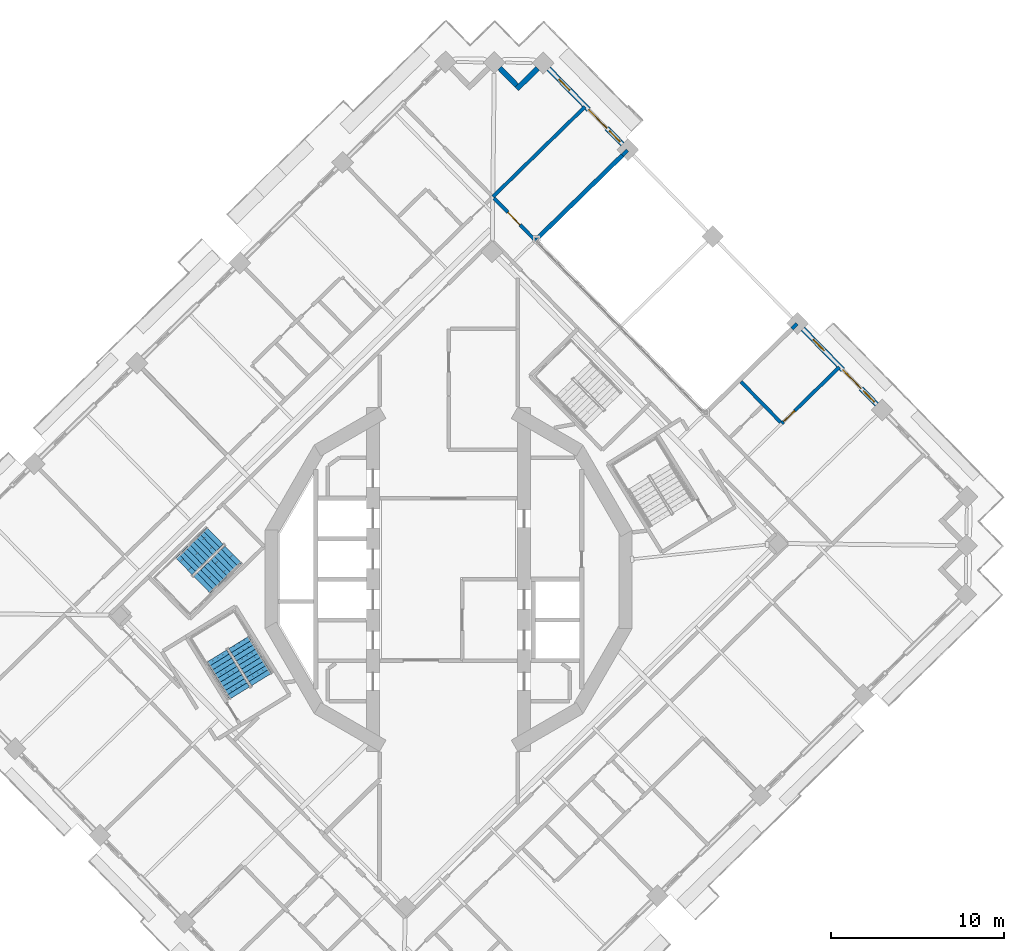
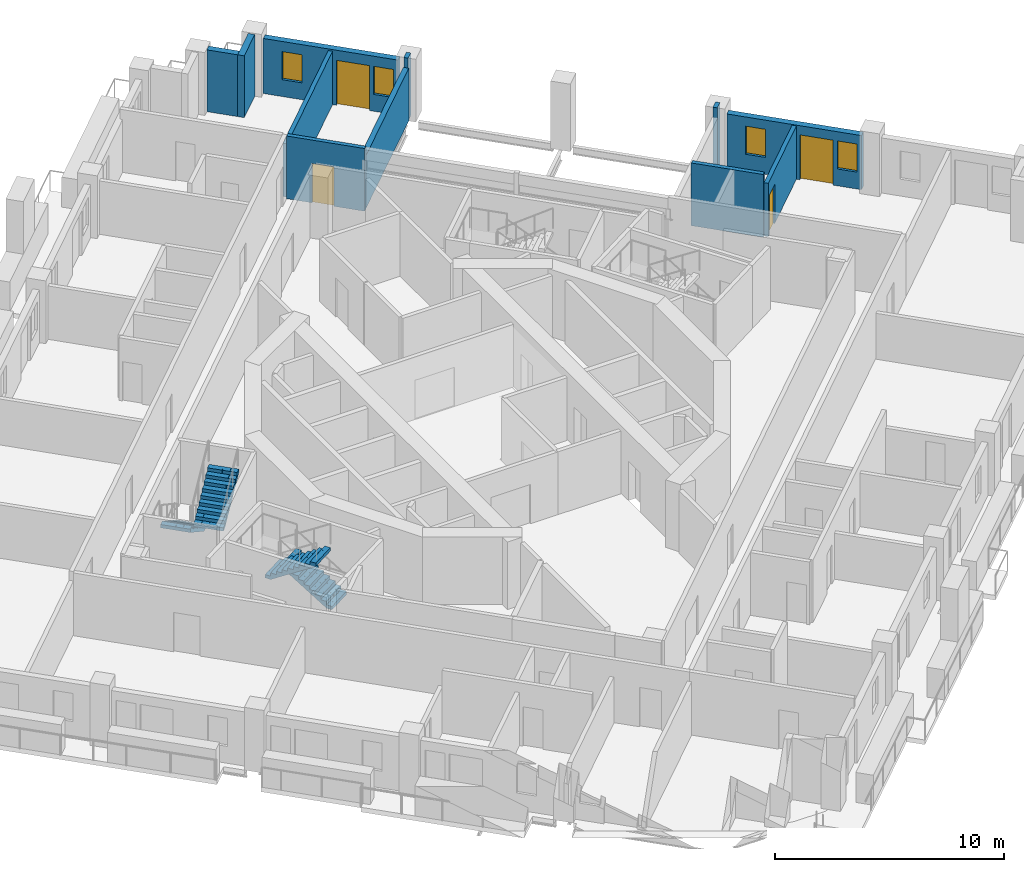
# One storey, part 13 of 20: 11 walls, 4 doors, 4 stair flights, 4 windows, 8 openings, 2 elements without a shape of their own.
"""IFC4 building model written with IfcOpenShell, lengths in metres."""

from ifc_helpers import new_model, si_unit, direction, frame, frame_2d, origin, place, context, subcontext, project, spatial, polyline, rectangle, outline, extrude, material, layer, layer_set, type_object, element, fill, aggregate, save


model = new_model("IFC4")

# Units and contexts
model_context = context("Model", 3, precision=1e-05, world=origin(), true_north=direction((0.0, 1.0)))
body_context = subcontext(model_context, "Body", "Model", "MODEL_VIEW")
ifc_project = project(units=[si_unit("LENGTHUNIT", "METRE"), si_unit("AREAUNIT", "SQUARE_METRE"), si_unit("VOLUMEUNIT", "CUBIC_METRE"), si_unit("PLANEANGLEUNIT", "RADIAN"), si_unit("MASSUNIT", "GRAM", prefix="KILO")], contexts=[model_context])

# Site, building, storey
site_placement = place(None, origin())
site = spatial("IfcSite", under=ifc_project, at=site_placement, CompositionType="ELEMENT")
building_placement = place(site_placement, origin())
building = spatial("IfcBuilding", under=site, at=building_placement, Name="Cantera Rosa Tower", CompositionType="ELEMENT")
storey_placement = place(building_placement, frame((0.0, 0.0, 209.0)))
storey = spatial("IfcBuildingStorey", under=building, at=storey_placement, Name="L44", CompositionType="ELEMENT", Elevation=209.0)

# Wall, opening, door
ifc_material_1 = material(Name="Gypsum board partition")
ifc_layer_1 = layer(ifc_material_1, 0.199951171875)
ifc_layer_set_1 = layer_set([ifc_layer_1], Name="CORRIDOR WALL 200 H3350")
wall_type_1 = type_object("IfcWallType", Name="CORRIDOR WALL 200 H3350", PredefinedType="PARTITIONING", material=ifc_layer_set_1)
wall_1_placement = place(storey_placement, frame((5.10302734375, 19.5322265625, 0.0), z_axis=(0.0, 0.0, 1.0), x_axis=(-0.698794436322, 0.715322539674, 0.0)))
wall_1 = element("IfcWall", 1, at=wall_1_placement, inside=storey, type_object=wall_type_1, Name="CORRIDOR WALL L44-126", PredefinedType="PARTITIONING", context=body_context, shape_type="SweptSolid", body=[
    extrude(rectangle(XDim=3.545166015625, YDim=0.199951171875, at=frame_2d((1.7724609375, 0.0))), origin(), (0.0, 0.0, 1.0), 3.35009765625),
])
opening_1_placement = place(wall_1_placement, frame((1.385009765625, 0.0, 0.0)))
opening_1 = element("IfcOpeningElement", 2, at=opening_1_placement, cuts=wall_1, Name="Opening L44-026", PredefinedType="OPENING", context=body_context, shape_type="SweptSolid", body=[
    extrude(rectangle(XDim=1.0, YDim=2.10009765625, at=frame_2d((0.5, 1.050048828125))), frame((0.0, 0.10986328125, 0.0), z_axis=(0.0, -1.0, 0.0), x_axis=(1.0, 0.0, 0.0)), (0.0, 0.0, 1.0), 0.219970703125),
])
ifc_material_2 = material(Name="Timber door leaf", Category="wood")
door_type_1 = type_object("IfcDoorType", Name="ROOM DOOR 1000x2100", OperationType="NOTDEFINED", PredefinedType="DOOR", material=ifc_material_2)
door_1_placement = place(opening_1_placement, origin())
door_1 = element("IfcDoor", 3, at=door_1_placement, inside=storey, type_object=door_type_1, Name="DOOR L44-026", OperationType="NOTDEFINED", OverallHeight=2.10009765625, OverallWidth=1.0, PredefinedType="DOOR", context=body_context, shape_type="SweptSolid", body=[
    extrude(rectangle(XDim=1.0, YDim=2.10009765625, at=frame_2d((0.5, 1.050048828125))), frame((0.0, 0.02490234375, 0.0), z_axis=(0.0, -1.0, 0.0), x_axis=(1.0, 0.0, 0.0)), (0.0, 0.0, 1.0), 0.050048828125),
])
fill(opening_1, door_1)

# Walls
ifc_material_3 = material(Name="Hollow clay masonry with cantera stone cladding", Category="masonry")
ifc_layer_2 = layer(ifc_material_3, 0.300048828125)
ifc_layer_set_2 = layer_set([ifc_layer_2], Name="EW-LOGGIA 300")
wall_type_2 = type_object("IfcWallType", Name="EW-LOGGIA 300", PredefinedType="SOLIDWALL", material=ifc_layer_set_2)
wall_2_placement = place(storey_placement, frame((5.15283203125, 29.56982421875, 0.0), z_axis=(0.0, 0.0, 1.0), x_axis=(-0.715316077832, -0.69880105094, 0.0)))
element("IfcWall", 4, at=wall_2_placement, inside=storey, type_object=wall_type_2, Name="EN-L44-W05a", PredefinedType="SOLIDWALL", context=body_context, shape_type="SweptSolid", body=[
    extrude(rectangle(XDim=1.699951171875, YDim=0.300048828125, at=frame_2d((0.85009765625, 0.0))), origin(), (0.0, 0.0, 1.0), 3.300048828125),
])
wall_3_placement = place(storey_placement, frame((3.939208984375, 28.593994140625, 0.0), z_axis=(0.0, 0.0, 1.0), x_axis=(-0.698861982187, 0.715256548278, 0.0)))
element("IfcWall", 5, at=wall_3_placement, inside=storey, type_object=wall_type_2, Name="EN-L44-W05b", PredefinedType="SOLIDWALL", context=body_context, shape_type="SweptSolid", body=[
    extrude(rectangle(XDim=1.39990234375, YDim=0.300048828125, at=frame_2d((0.699951171875, 0.0))), origin(), (0.0, 0.0, 1.0), 3.300048828125),
])

# Wall, openings, windows, door
ifc_material_4 = material(Name="Hollow clay masonry with cantera stone cladding", Category="masonry")
ifc_layer_3 = layer(ifc_material_4, 0.300048828125)
ifc_layer_set_3 = layer_set([ifc_layer_3], Name="EW-LOGGIA 300 H2890")
wall_type_3 = type_object("IfcWallType", Name="EW-LOGGIA 300 H2890", PredefinedType="SOLIDWALL", material=ifc_layer_set_3)
wall_4_placement = place(storey_placement, frame((24.783203125, 10.120849609375, 0.0), z_axis=(0.0, 0.0, 1.0), x_axis=(-0.698800768177, 0.715316354067, 0.0)))
wall_4 = element("IfcWall", 6, at=wall_4_placement, inside=storey, type_object=wall_type_3, Name="EN-L44-W01", PredefinedType="SOLIDWALL", context=body_context, shape_type="SweptSolid", body=[
    extrude(rectangle(XDim=6.119873046875, YDim=0.300048828125, at=frame_2d((3.06005859375, 0.0))), origin(), (0.0, 0.0, 1.0), 2.889892578125),
])
opening_2_placement = place(wall_4_placement, frame((0.199951171875, 0.0, 0.89990234375)))
opening_2 = element("IfcOpeningElement", 7, at=opening_2_placement, cuts=wall_4, Name="Opening L44-W01", PredefinedType="OPENING", context=body_context, shape_type="SweptSolid", body=[
    extrude(rectangle(XDim=0.89990234375, YDim=1.5, at=frame_2d((0.449951171875, 0.75))), frame((0.0, 0.159912109375, 0.0), z_axis=(0.0, -1.0, 0.0), x_axis=(1.0, 0.0, 0.0)), (0.0, 0.0, 1.0), 0.320068359375),
])
opening_3_placement = place(wall_4_placement, frame((1.300048828125, 0.0, 0.0)))
opening_3 = element("IfcOpeningElement", 8, at=opening_3_placement, cuts=wall_4, Name="Opening L44-TD02", PredefinedType="OPENING", context=body_context, shape_type="SweptSolid", body=[
    extrude(rectangle(XDim=1.5, YDim=2.39990234375, at=frame_2d((0.75, 1.199951171875))), frame((0.0, 0.159912109375, 0.0), z_axis=(0.0, -1.0, 0.0), x_axis=(1.0, 0.0, 0.0)), (0.0, 0.0, 1.0), 0.320068359375),
])
opening_4_placement = place(wall_4_placement, frame((4.364990234375, 0.0, 0.89990234375)))
opening_4 = element("IfcOpeningElement", 9, at=opening_4_placement, cuts=wall_4, Name="Opening L44-W03", PredefinedType="OPENING", context=body_context, shape_type="SweptSolid", body=[
    extrude(rectangle(XDim=0.89990234375, YDim=1.5, at=frame_2d((0.449951171875, 0.75))), frame((0.0, 0.159912109375, 0.0), z_axis=(0.0, -1.0, 0.0), x_axis=(1.0, 0.0, 0.0)), (0.0, 0.0, 1.0), 0.320068359375),
])
ifc_material_5 = material(Name="Aluminium frame with clear glass", Category="aluminium")
window_type = type_object("IfcWindowType", Name="Residential window 900x1500", PartitioningType="SINGLE_PANEL", PredefinedType="WINDOW", material=ifc_material_5)
window_1_placement = place(opening_2_placement, origin())
window_1 = element("IfcWindow", 10, at=window_1_placement, inside=storey, type_object=window_type, Name="WINDOW L44-W01", OverallHeight=1.5, OverallWidth=0.89990234375, PartitioningType="SINGLE_PANEL", PredefinedType="WINDOW", context=body_context, shape_type="SweptSolid", body=[
    extrude(rectangle(XDim=0.89990234375, YDim=1.5, at=frame_2d((0.449951171875, 0.75))), frame((0.0, 0.030029296875, 0.0), z_axis=(0.0, -1.0, 0.0), x_axis=(1.0, 0.0, 0.0)), (0.0, 0.0, 1.0), 0.06005859375),
])
fill(opening_2, window_1)
window_2_placement = place(opening_4_placement, origin())
window_2 = element("IfcWindow", 11, at=window_2_placement, inside=storey, type_object=window_type, Name="WINDOW L44-W03", OverallHeight=1.5, OverallWidth=0.89990234375, PartitioningType="SINGLE_PANEL", PredefinedType="WINDOW", context=body_context, shape_type="SweptSolid", body=[
    extrude(rectangle(XDim=0.89990234375, YDim=1.5, at=frame_2d((0.449951171875, 0.75))), frame((0.0, 0.030029296875, 0.0), z_axis=(0.0, -1.0, 0.0), x_axis=(1.0, 0.0, 0.0)), (0.0, 0.0, 1.0), 0.06005859375),
])
fill(opening_4, window_2)
ifc_material_6 = material(Name="Aluminium frame with clear glass", Category="aluminium")
door_type_2 = type_object("IfcDoorType", Name="TD-R 1500x2400", OperationType="NOTDEFINED", PredefinedType="DOOR", material=ifc_material_6)
door_2_placement = place(opening_3_placement, origin())
door_2 = element("IfcDoor", 12, at=door_2_placement, inside=storey, type_object=door_type_2, Name="LOGGIA DOOR L44-TD02", OperationType="SLIDING_TO_LEFT", OverallHeight=2.39990234375, OverallWidth=1.5, PredefinedType="DOOR", context=body_context, shape_type="SweptSolid", body=[
    extrude(rectangle(XDim=1.5, YDim=2.39990234375, at=frame_2d((0.75, 1.199951171875))), frame((0.0, 0.02490234375, 0.0), z_axis=(0.0, -1.0, 0.0), x_axis=(1.0, 0.0, 0.0)), (0.0, 0.0, 1.0), 0.050048828125),
])
fill(opening_3, door_2)

ifc_material_7 = material(Name="Hollow clay masonry with cantera stone cladding", Category="masonry")
ifc_layer_4 = layer(ifc_material_7, 0.300048828125)
ifc_layer_set_4 = layer_set([ifc_layer_4], Name="EW-LOGGIA 300 H2940")
wall_type_4 = type_object("IfcWallType", Name="EW-LOGGIA 300 H2940", PredefinedType="SOLIDWALL", material=ifc_layer_set_4)
wall_5_placement = place(storey_placement, frame((10.06591796875, 25.184814453125, 0.0), z_axis=(0.0, 0.0, 1.0), x_axis=(-0.69882117953, 0.715296413412, 0.0)))
wall_5 = element("IfcWall", 13, at=wall_5_placement, inside=storey, type_object=wall_type_4, Name="EN-L44-W04", PredefinedType="SOLIDWALL", context=body_context, shape_type="SweptSolid", body=[
    extrude(rectangle(XDim=6.1201171875, YDim=0.300048828125, at=frame_2d((3.06005859375, 0.0))), origin(), (0.0, 0.0, 1.0), 2.93994140625),
])
opening_5_placement = place(wall_5_placement, frame((0.199951171875, 0.0, 0.89990234375)))
opening_5 = element("IfcOpeningElement", 14, at=opening_5_placement, cuts=wall_5, Name="Opening L44-W04", PredefinedType="OPENING", context=body_context, shape_type="SweptSolid", body=[
    extrude(rectangle(XDim=0.89990234375, YDim=1.5, at=frame_2d((0.449951171875, 0.75))), frame((0.0, 0.159912109375, 0.0), z_axis=(0.0, -1.0, 0.0), x_axis=(1.0, 0.0, 0.0)), (0.0, 0.0, 1.0), 0.320068359375),
])
opening_6_placement = place(wall_5_placement, frame((1.300048828125, 0.0, 0.0)))
opening_6 = element("IfcOpeningElement", 15, at=opening_6_placement, cuts=wall_5, Name="Opening L44-TD05", PredefinedType="OPENING", context=body_context, shape_type="SweptSolid", body=[
    extrude(rectangle(XDim=1.5, YDim=2.39990234375, at=frame_2d((0.75, 1.199951171875))), frame((0.0, 0.159912109375, 0.0), z_axis=(0.0, -1.0, 0.0), x_axis=(1.0, 0.0, 0.0)), (0.0, 0.0, 1.0), 0.320068359375),
])
opening_7_placement = place(wall_5_placement, frame((4.364990234375, 0.0, 0.89990234375)))
opening_7 = element("IfcOpeningElement", 16, at=opening_7_placement, cuts=wall_5, Name="Opening L44-W06", PredefinedType="OPENING", context=body_context, shape_type="SweptSolid", body=[
    extrude(rectangle(XDim=0.89990234375, YDim=1.5, at=frame_2d((0.449951171875, 0.75))), frame((0.0, 0.159912109375, 0.0), z_axis=(0.0, -1.0, 0.0), x_axis=(1.0, 0.0, 0.0)), (0.0, 0.0, 1.0), 0.320068359375),
])
window_3_placement = place(opening_5_placement, origin())
window_3 = element("IfcWindow", 17, at=window_3_placement, inside=storey, type_object=window_type, Name="WINDOW L44-W04", OverallHeight=1.5, OverallWidth=0.89990234375, PartitioningType="SINGLE_PANEL", PredefinedType="WINDOW", context=body_context, shape_type="SweptSolid", body=[
    extrude(rectangle(XDim=0.89990234375, YDim=1.5, at=frame_2d((0.449951171875, 0.75))), frame((0.0, 0.030029296875, 0.0), z_axis=(0.0, -1.0, 0.0), x_axis=(1.0, 0.0, 0.0)), (0.0, 0.0, 1.0), 0.06005859375),
])
fill(opening_5, window_3)
window_4_placement = place(opening_7_placement, origin())
window_4 = element("IfcWindow", 18, at=window_4_placement, inside=storey, type_object=window_type, Name="WINDOW L44-W06", OverallHeight=1.5, OverallWidth=0.89990234375, PartitioningType="SINGLE_PANEL", PredefinedType="WINDOW", context=body_context, shape_type="SweptSolid", body=[
    extrude(rectangle(XDim=0.89990234375, YDim=1.5, at=frame_2d((0.449951171875, 0.75))), frame((0.0, 0.030029296875, 0.0), z_axis=(0.0, -1.0, 0.0), x_axis=(1.0, 0.0, 0.0)), (0.0, 0.0, 1.0), 0.06005859375),
])
fill(opening_7, window_4)
door_3_placement = place(opening_6_placement, origin())
door_3 = element("IfcDoor", 19, at=door_3_placement, inside=storey, type_object=door_type_2, Name="LOGGIA DOOR L44-TD05", OperationType="SLIDING_TO_LEFT", OverallHeight=2.39990234375, OverallWidth=1.5, PredefinedType="DOOR", context=body_context, shape_type="SweptSolid", body=[
    extrude(rectangle(XDim=1.5, YDim=2.39990234375, at=frame_2d((0.75, 1.199951171875))), frame((0.0, 0.02490234375, 0.0), z_axis=(0.0, -1.0, 0.0), x_axis=(1.0, 0.0, 0.0)), (0.0, 0.0, 1.0), 0.050048828125),
])
fill(opening_6, door_3)

# Wall
ifc_material_8 = material(Name="Concrete C40/50", Category="concrete")
ifc_layer_5 = layer(ifc_material_8, 0.25)
ifc_layer_set_5 = layer_set([ifc_layer_5], Name="EW-POCKET CHEEK 250 H2820")
wall_type_5 = type_object("IfcWallType", Name="EW-POCKET CHEEK 250 H2820", PredefinedType="SOLIDWALL", material=ifc_layer_set_5)
wall_6_placement = place(storey_placement, frame((10.05859375, 24.548583984375, 0.0), z_axis=(0.0, 0.0, 1.0), x_axis=(-0.715278984135, -0.69883901927, 0.0)))
element("IfcWall", 20, at=wall_6_placement, inside=storey, type_object=wall_type_5, Name="POCKET CHEEK B L44", PredefinedType="SOLIDWALL", context=body_context, shape_type="SweptSolid", body=[
    extrude(rectangle(XDim=6.949951171875, YDim=0.25, at=frame_2d((3.47509765625, 0.0))), origin(), (0.0, 0.0, 1.0), 2.820068359375),
])

# Wall, opening, door
ifc_material_9 = material(Name="Gypsum board partition")
ifc_layer_6 = layer(ifc_material_9, 0.199951171875)
ifc_layer_set_6 = layer_set([ifc_layer_6], Name="PARTITION 200 H2850")
wall_type_6 = type_object("IfcWallType", Name="PARTITION 200 H2850", PredefinedType="PARTITIONING", material=ifc_layer_set_6)
wall_7_placement = place(storey_placement, frame((22.623291015625, 12.288818359375, 0.0), z_axis=(0.0, 0.0, 1.0), x_axis=(-0.715241248144, -0.698877640903, 0.0)))
wall_7 = element("IfcWall", 21, at=wall_7_placement, inside=storey, type_object=wall_type_6, Name="PARTITION L44-127", PredefinedType="PARTITIONING", context=body_context, shape_type="SweptSolid", body=[
    extrude(rectangle(XDim=4.669921875, YDim=0.199951171875, at=frame_2d((2.3349609375, 0.0))), origin(), (0.0, 0.0, 1.0), 2.85009765625),
])
opening_8_placement = place(wall_7_placement, frame((3.6201171875, 0.0, 0.0)))
opening_8 = element("IfcOpeningElement", 22, at=opening_8_placement, cuts=wall_7, Name="Opening L44-025", PredefinedType="OPENING", context=body_context, shape_type="SweptSolid", body=[
    extrude(rectangle(XDim=0.89990234375, YDim=2.10009765625, at=frame_2d((0.449951171875, 1.050048828125))), frame((0.0, 0.10986328125, 0.0), z_axis=(0.0, -1.0, 0.0), x_axis=(1.0, 0.0, 0.0)), (0.0, 0.0, 1.0), 0.219970703125),
])
ifc_material_10 = material(Name="Timber door leaf", Category="wood")
door_type_3 = type_object("IfcDoorType", Name="ROOM DOOR 900x2100", OperationType="NOTDEFINED", PredefinedType="DOOR", material=ifc_material_10)
door_4_placement = place(opening_8_placement, origin())
door_4 = element("IfcDoor", 23, at=door_4_placement, inside=storey, type_object=door_type_3, Name="DOOR L44-025", OperationType="NOTDEFINED", OverallHeight=2.10009765625, OverallWidth=0.89990234375, PredefinedType="DOOR", context=body_context, shape_type="SweptSolid", body=[
    extrude(rectangle(XDim=0.89990234375, YDim=2.10009765625, at=frame_2d((0.449951171875, 1.050048828125))), frame((0.0, 0.02490234375, 0.0), z_axis=(0.0, -1.0, 0.0), x_axis=(1.0, 0.0, 0.0)), (0.0, 0.0, 1.0), 0.050048828125),
])
fill(opening_8, door_4)

# Walls
ifc_material_11 = material(Name="Gypsum board partition")
ifc_layer_7 = layer(ifc_material_11, 0.199951171875)
ifc_layer_set_7 = layer_set([ifc_layer_7], Name="PARTITION 200 H3350")
wall_type_7 = type_object("IfcWallType", Name="PARTITION 200 H3350", PredefinedType="PARTITIONING", material=ifc_layer_set_7)
for number, where, z_axis, x_axis, name in (
    (24, (10.35888671875, 24.842041015625, 0.0), (0.0, 0.0, 1.0), (-0.715200413867, -0.698919428836, 0.0), "PARTITION L44-103"),
    (25, (19.8701171875, 14.505859375, 0.0), (0.0, 0.0, 1.0), (0.715200413867, 0.698919428836, 0.0), "PARTITION L44-114"),
):
    element("IfcWall", number, at=place(storey_placement, frame(where, z_axis=z_axis, x_axis=x_axis)), inside=storey, type_object=wall_type_7, Name=name, PredefinedType="PARTITIONING", context=body_context, shape_type="SweptSolid", body=[
        extrude(rectangle(XDim=0.419921875, YDim=0.199951171875, at=frame_2d((0.2099609375, 0.0))), origin(), (0.0, 0.0, 1.0), 3.35009765625),
    ])
wall_8_placement = place(storey_placement, frame((16.924560546875, 11.439208984375, 0.0), z_axis=(0.0, 0.0, 1.0), x_axis=(0.698821145495, -0.715296446663, 0.0)))
element("IfcWall", 26, at=wall_8_placement, inside=storey, type_object=wall_type_7, Name="PARTITION L44-118", PredefinedType="PARTITIONING", context=body_context, shape_type="SweptSolid", body=[
    extrude(rectangle(XDim=3.27490234375, YDim=0.199951171875, at=frame_2d((1.637451171875, 0.0))), origin(), (0.0, 0.0, 1.0), 3.35009765625),
])
ifc_material_12 = material(Name="Gypsum board partition")
ifc_layer_8 = layer(ifc_material_12, 0.199951171875)
ifc_layer_set_8 = layer_set([ifc_layer_8], Name="PARTY WALL 200 H2850")
wall_type_8 = type_object("IfcWallType", Name="PARTY WALL 200 H2850", PredefinedType="PARTITIONING", material=ifc_layer_set_8)
wall_9_placement = place(storey_placement, frame((2.5703125, 22.153564453125, 0.0), z_axis=(0.0, 0.0, 1.0), x_axis=(0.715284364496, 0.698833512296, 0.0)))
element("IfcWall", 27, at=wall_9_placement, inside=storey, type_object=wall_type_8, Name="PARTY WALL L44-075", PredefinedType="PARTITIONING", context=body_context, shape_type="SweptSolid", body=[
    extrude(rectangle(XDim=7.449951171875, YDim=0.199951171875, at=frame_2d((3.72509765625, 0.0))), origin(), (0.0, 0.0, 1.0), 2.85009765625),
])

# Stair, stair flights
ifc_material_13 = material(Name="Concrete C35/45", Category="concrete")
stair_type = type_object("IfcStairType", Name="EXIT STAIR 1350 DOGLEG", PredefinedType="HALF_TURN_STAIR", material=ifc_material_13)
stair_1_placement = place(storey_placement, origin())
stair_1 = element("IfcStair", 28, at=stair_1_placement, inside=storey, type_object=stair_type, Name="L44 ST-43", PredefinedType="HALF_TURN_STAIR")
ifc_material_14 = material(Name="Concrete C35/45", Category="concrete")
stair_flight_type = type_object("IfcStairFlightType", Name="STAIR FLIGHT 1350 R20x180", PredefinedType="STRAIGHT", material=ifc_material_14)
stair_flight_1_placement = place(storey_placement, frame((-13.522705078125, 2.514892578125, 0.0), z_axis=(0.0, 0.0, 1.0), x_axis=(-0.715286295132, -0.698831536207, 0.0)))
stair_flight_1 = element("IfcStairFlight", 29, at=stair_flight_1_placement, type_object=stair_flight_type, Name="ST-43 flight 1", NumberOfRisers=10, NumberOfTreads=9, PredefinedType="STRAIGHT", RiserHeight=0.18, TreadLength=0.28, context=body_context, shape_type="SweptSolid", body=[
    extrude(outline(polyline([(0.0, 0.0), (0.0, 0.179931640625), (0.280029296875, 0.179931640625), (0.280029296875, 0.360107421875), (0.56005859375, 0.360107421875), (0.56005859375, 0.5400390625), (0.840087890625, 0.5400390625), (0.840087890625, 0.719970703125), (1.1201171875, 0.719970703125), (1.1201171875, 0.89990234375), (1.39990234375, 0.89990234375), (1.39990234375, 1.080078125), (1.679931640625, 1.080078125), (1.679931640625, 1.260009765625), (1.9599609375, 1.260009765625), (1.9599609375, 1.43994140625), (2.239990234375, 1.43994140625), (2.239990234375, 1.6201171875), (2.52001953125, 1.6201171875), (2.52001953125, 1.800048828125), (2.52001953125, 1.44189453125), (0.277099609375, 0.0), (0.0, 0.0)])), frame((0.0, 0.675048828125, 0.0), z_axis=(0.0, -1.0, 0.0), x_axis=(1.0, 0.0, 0.0)), (0.0, 0.0, 1.0), 0.3359375),
    extrude(outline(polyline([(0.0, 0.0), (0.0, 0.179931640625), (0.280029296875, 0.179931640625), (0.280029296875, 0.360107421875), (0.56005859375, 0.360107421875), (0.56005859375, 0.5400390625), (0.840087890625, 0.5400390625), (0.840087890625, 0.719970703125), (1.1201171875, 0.719970703125), (1.1201171875, 0.89990234375), (1.39990234375, 0.89990234375), (1.39990234375, 1.080078125), (1.679931640625, 1.080078125), (1.679931640625, 1.260009765625), (1.9599609375, 1.260009765625), (1.9599609375, 1.43994140625), (2.239990234375, 1.43994140625), (2.239990234375, 1.6201171875), (2.52001953125, 1.6201171875), (2.52001953125, 1.800048828125), (2.52001953125, 1.44189453125), (0.277099609375, 0.0), (0.0, 0.0)])), frame((0.0, 0.337158203125, 0.0), z_axis=(0.0, -1.0, 0.0), x_axis=(1.0, 0.0, 0.0)), (0.0, 0.0, 1.0), 0.3359375),
    extrude(outline(polyline([(0.0, 0.0), (0.0, 0.179931640625), (0.280029296875, 0.179931640625), (0.280029296875, 0.360107421875), (0.56005859375, 0.360107421875), (0.56005859375, 0.5400390625), (0.840087890625, 0.5400390625), (0.840087890625, 0.719970703125), (1.1201171875, 0.719970703125), (1.1201171875, 0.89990234375), (1.39990234375, 0.89990234375), (1.39990234375, 1.080078125), (1.679931640625, 1.080078125), (1.679931640625, 1.260009765625), (1.9599609375, 1.260009765625), (1.9599609375, 1.43994140625), (2.239990234375, 1.43994140625), (2.239990234375, 1.6201171875), (2.52001953125, 1.6201171875), (2.52001953125, 1.800048828125), (2.52001953125, 1.44189453125), (0.277099609375, 0.0), (0.0, 0.0)])), frame((0.0, -0.000732421875, 0.0), z_axis=(0.0, -1.0, 0.0), x_axis=(1.0, 0.0, 0.0)), (0.0, 0.0, 1.0), 0.3359375),
    extrude(outline(polyline([(0.0, 0.0), (0.0, 0.179931640625), (0.280029296875, 0.179931640625), (0.280029296875, 0.360107421875), (0.56005859375, 0.360107421875), (0.56005859375, 0.5400390625), (0.840087890625, 0.5400390625), (0.840087890625, 0.719970703125), (1.1201171875, 0.719970703125), (1.1201171875, 0.89990234375), (1.39990234375, 0.89990234375), (1.39990234375, 1.080078125), (1.679931640625, 1.080078125), (1.679931640625, 1.260009765625), (1.9599609375, 1.260009765625), (1.9599609375, 1.43994140625), (2.239990234375, 1.43994140625), (2.239990234375, 1.6201171875), (2.52001953125, 1.6201171875), (2.52001953125, 1.800048828125), (2.52001953125, 1.44189453125), (0.277099609375, 0.0), (0.0, 0.0)])), frame((0.0, -0.338623046875, 0.0), z_axis=(0.0, -1.0, 0.0), x_axis=(1.0, 0.0, 0.0)), (0.0, 0.0, 1.0), 0.3359375),
])
stair_flight_2_placement = place(storey_placement, frame((-14.277099609375, -0.319091796875, 1.800048828125), z_axis=(0.0, 0.0, 1.0), x_axis=(0.715286295132, 0.698831536207, 0.0)))
stair_flight_2 = element("IfcStairFlight", 30, at=stair_flight_2_placement, type_object=stair_flight_type, Name="ST-43 flight 2", NumberOfRisers=10, NumberOfTreads=9, PredefinedType="STRAIGHT", RiserHeight=0.18, TreadLength=0.28, context=body_context, shape_type="SweptSolid", body=[
    extrude(outline(polyline([(0.0, 0.0), (0.0, 0.179931640625), (0.280029296875, 0.179931640625), (0.280029296875, 0.360107421875), (0.56005859375, 0.360107421875), (0.56005859375, 0.5400390625), (0.840087890625, 0.5400390625), (0.840087890625, 0.719970703125), (1.1201171875, 0.719970703125), (1.1201171875, 0.89990234375), (1.39990234375, 0.89990234375), (1.39990234375, 1.080078125), (1.679931640625, 1.080078125), (1.679931640625, 1.260009765625), (1.9599609375, 1.260009765625), (1.9599609375, 1.43994140625), (2.239990234375, 1.43994140625), (2.239990234375, 1.6201171875), (2.52001953125, 1.6201171875), (2.52001953125, 1.800048828125), (2.52001953125, 1.44189453125), (0.277099609375, 0.0), (0.0, 0.0)])), frame((0.0, 0.675048828125, 0.0), z_axis=(0.0, -1.0, 0.0), x_axis=(1.0, 0.0, 0.0)), (0.0, 0.0, 1.0), 0.3359375),
    extrude(outline(polyline([(0.0, 0.0), (0.0, 0.179931640625), (0.280029296875, 0.179931640625), (0.280029296875, 0.360107421875), (0.56005859375, 0.360107421875), (0.56005859375, 0.5400390625), (0.840087890625, 0.5400390625), (0.840087890625, 0.719970703125), (1.1201171875, 0.719970703125), (1.1201171875, 0.89990234375), (1.39990234375, 0.89990234375), (1.39990234375, 1.080078125), (1.679931640625, 1.080078125), (1.679931640625, 1.260009765625), (1.9599609375, 1.260009765625), (1.9599609375, 1.43994140625), (2.239990234375, 1.43994140625), (2.239990234375, 1.6201171875), (2.52001953125, 1.6201171875), (2.52001953125, 1.800048828125), (2.52001953125, 1.44189453125), (0.277099609375, 0.0), (0.0, 0.0)])), frame((0.0, 0.337158203125, 0.0), z_axis=(0.0, -1.0, 0.0), x_axis=(1.0, 0.0, 0.0)), (0.0, 0.0, 1.0), 0.3359375),
    extrude(outline(polyline([(0.0, 0.0), (0.0, 0.179931640625), (0.280029296875, 0.179931640625), (0.280029296875, 0.360107421875), (0.56005859375, 0.360107421875), (0.56005859375, 0.5400390625), (0.840087890625, 0.5400390625), (0.840087890625, 0.719970703125), (1.1201171875, 0.719970703125), (1.1201171875, 0.89990234375), (1.39990234375, 0.89990234375), (1.39990234375, 1.080078125), (1.679931640625, 1.080078125), (1.679931640625, 1.260009765625), (1.9599609375, 1.260009765625), (1.9599609375, 1.43994140625), (2.239990234375, 1.43994140625), (2.239990234375, 1.6201171875), (2.52001953125, 1.6201171875), (2.52001953125, 1.800048828125), (2.52001953125, 1.44189453125), (0.277099609375, 0.0), (0.0, 0.0)])), frame((0.0, -0.000732421875, 0.0), z_axis=(0.0, -1.0, 0.0), x_axis=(1.0, 0.0, 0.0)), (0.0, 0.0, 1.0), 0.3359375),
    extrude(outline(polyline([(0.0, 0.0), (0.0, 0.179931640625), (0.280029296875, 0.179931640625), (0.280029296875, 0.360107421875), (0.56005859375, 0.360107421875), (0.56005859375, 0.5400390625), (0.840087890625, 0.5400390625), (0.840087890625, 0.719970703125), (1.1201171875, 0.719970703125), (1.1201171875, 0.89990234375), (1.39990234375, 0.89990234375), (1.39990234375, 1.080078125), (1.679931640625, 1.080078125), (1.679931640625, 1.260009765625), (1.9599609375, 1.260009765625), (1.9599609375, 1.43994140625), (2.239990234375, 1.43994140625), (2.239990234375, 1.6201171875), (2.52001953125, 1.6201171875), (2.52001953125, 1.800048828125), (2.52001953125, 1.44189453125), (0.277099609375, 0.0), (0.0, 0.0)])), frame((0.0, -0.338623046875, 0.0), z_axis=(0.0, -1.0, 0.0), x_axis=(1.0, 0.0, 0.0)), (0.0, 0.0, 1.0), 0.3359375),
])
aggregate(stair_1, [stair_flight_1, stair_flight_2])

stair_2_placement = place(storey_placement, origin())
stair_2 = element("IfcStair", 31, at=stair_2_placement, inside=storey, type_object=stair_type, Name="L44 ST-44", PredefinedType="HALF_TURN_STAIR")
stair_flight_3_placement = place(storey_placement, frame((-10.82666015625, -5.7978515625, 0.0), z_axis=(0.0, 0.0, 1.0), x_axis=(-0.524976585286, 0.851116669383, 0.0)))
stair_flight_3 = element("IfcStairFlight", 32, at=stair_flight_3_placement, type_object=stair_flight_type, Name="ST-44 flight 1", NumberOfRisers=10, NumberOfTreads=9, PredefinedType="STRAIGHT", RiserHeight=0.18, TreadLength=0.28, context=body_context, shape_type="SweptSolid", body=[
    extrude(outline(polyline([(0.0, 0.0), (0.0, 0.179931640625), (0.280029296875, 0.179931640625), (0.280029296875, 0.360107421875), (0.56005859375, 0.360107421875), (0.56005859375, 0.5400390625), (0.840087890625, 0.5400390625), (0.840087890625, 0.719970703125), (1.1201171875, 0.719970703125), (1.1201171875, 0.89990234375), (1.39990234375, 0.89990234375), (1.39990234375, 1.080078125), (1.679931640625, 1.080078125), (1.679931640625, 1.260009765625), (1.9599609375, 1.260009765625), (1.9599609375, 1.43994140625), (2.239990234375, 1.43994140625), (2.239990234375, 1.6201171875), (2.52001953125, 1.6201171875), (2.52001953125, 1.800048828125), (2.52001953125, 1.44189453125), (0.277099609375, 0.0), (0.0, 0.0)])), frame((0.0, 0.675048828125, 0.0), z_axis=(0.0, -1.0, 0.0), x_axis=(1.0, 0.0, 0.0)), (0.0, 0.0, 1.0), 0.3359375),
    extrude(outline(polyline([(0.0, 0.0), (0.0, 0.179931640625), (0.280029296875, 0.179931640625), (0.280029296875, 0.360107421875), (0.56005859375, 0.360107421875), (0.56005859375, 0.5400390625), (0.840087890625, 0.5400390625), (0.840087890625, 0.719970703125), (1.1201171875, 0.719970703125), (1.1201171875, 0.89990234375), (1.39990234375, 0.89990234375), (1.39990234375, 1.080078125), (1.679931640625, 1.080078125), (1.679931640625, 1.260009765625), (1.9599609375, 1.260009765625), (1.9599609375, 1.43994140625), (2.239990234375, 1.43994140625), (2.239990234375, 1.6201171875), (2.52001953125, 1.6201171875), (2.52001953125, 1.800048828125), (2.52001953125, 1.44189453125), (0.277099609375, 0.0), (0.0, 0.0)])), frame((0.0, 0.337158203125, 0.0), z_axis=(0.0, -1.0, 0.0), x_axis=(1.0, 0.0, 0.0)), (0.0, 0.0, 1.0), 0.3359375),
    extrude(outline(polyline([(0.0, 0.0), (0.0, 0.179931640625), (0.280029296875, 0.179931640625), (0.280029296875, 0.360107421875), (0.56005859375, 0.360107421875), (0.56005859375, 0.5400390625), (0.840087890625, 0.5400390625), (0.840087890625, 0.719970703125), (1.1201171875, 0.719970703125), (1.1201171875, 0.89990234375), (1.39990234375, 0.89990234375), (1.39990234375, 1.080078125), (1.679931640625, 1.080078125), (1.679931640625, 1.260009765625), (1.9599609375, 1.260009765625), (1.9599609375, 1.43994140625), (2.239990234375, 1.43994140625), (2.239990234375, 1.6201171875), (2.52001953125, 1.6201171875), (2.52001953125, 1.800048828125), (2.52001953125, 1.44189453125), (0.277099609375, 0.0), (0.0, 0.0)])), frame((0.0, -0.000732421875, 0.0), z_axis=(0.0, -1.0, 0.0), x_axis=(1.0, 0.0, 0.0)), (0.0, 0.0, 1.0), 0.3359375),
    extrude(outline(polyline([(0.0, 0.0), (0.0, 0.179931640625), (0.280029296875, 0.179931640625), (0.280029296875, 0.360107421875), (0.56005859375, 0.360107421875), (0.56005859375, 0.5400390625), (0.840087890625, 0.5400390625), (0.840087890625, 0.719970703125), (1.1201171875, 0.719970703125), (1.1201171875, 0.89990234375), (1.39990234375, 0.89990234375), (1.39990234375, 1.080078125), (1.679931640625, 1.080078125), (1.679931640625, 1.260009765625), (1.9599609375, 1.260009765625), (1.9599609375, 1.43994140625), (2.239990234375, 1.43994140625), (2.239990234375, 1.6201171875), (2.52001953125, 1.6201171875), (2.52001953125, 1.800048828125), (2.52001953125, 1.44189453125), (0.277099609375, 0.0), (0.0, 0.0)])), frame((0.0, -0.338623046875, 0.0), z_axis=(0.0, -1.0, 0.0), x_axis=(1.0, 0.0, 0.0)), (0.0, 0.0, 1.0), 0.3359375),
])
stair_flight_4_placement = place(storey_placement, frame((-13.42626953125, -4.4404296875, 1.800048828125), z_axis=(0.0, 0.0, 1.0), x_axis=(0.524976585286, -0.851116669383, 0.0)))
stair_flight_4 = element("IfcStairFlight", 33, at=stair_flight_4_placement, type_object=stair_flight_type, Name="ST-44 flight 2", NumberOfRisers=10, NumberOfTreads=9, PredefinedType="STRAIGHT", RiserHeight=0.18, TreadLength=0.28, context=body_context, shape_type="SweptSolid", body=[
    extrude(outline(polyline([(0.0, 0.0), (0.0, 0.179931640625), (0.280029296875, 0.179931640625), (0.280029296875, 0.360107421875), (0.56005859375, 0.360107421875), (0.56005859375, 0.5400390625), (0.840087890625, 0.5400390625), (0.840087890625, 0.719970703125), (1.1201171875, 0.719970703125), (1.1201171875, 0.89990234375), (1.39990234375, 0.89990234375), (1.39990234375, 1.080078125), (1.679931640625, 1.080078125), (1.679931640625, 1.260009765625), (1.9599609375, 1.260009765625), (1.9599609375, 1.43994140625), (2.239990234375, 1.43994140625), (2.239990234375, 1.6201171875), (2.52001953125, 1.6201171875), (2.52001953125, 1.800048828125), (2.52001953125, 1.44189453125), (0.277099609375, 0.0), (0.0, 0.0)])), frame((0.0, 0.675048828125, 0.0), z_axis=(0.0, -1.0, 0.0), x_axis=(1.0, 0.0, 0.0)), (0.0, 0.0, 1.0), 0.3359375),
    extrude(outline(polyline([(0.0, 0.0), (0.0, 0.179931640625), (0.280029296875, 0.179931640625), (0.280029296875, 0.360107421875), (0.56005859375, 0.360107421875), (0.56005859375, 0.5400390625), (0.840087890625, 0.5400390625), (0.840087890625, 0.719970703125), (1.1201171875, 0.719970703125), (1.1201171875, 0.89990234375), (1.39990234375, 0.89990234375), (1.39990234375, 1.080078125), (1.679931640625, 1.080078125), (1.679931640625, 1.260009765625), (1.9599609375, 1.260009765625), (1.9599609375, 1.43994140625), (2.239990234375, 1.43994140625), (2.239990234375, 1.6201171875), (2.52001953125, 1.6201171875), (2.52001953125, 1.800048828125), (2.52001953125, 1.44189453125), (0.277099609375, 0.0), (0.0, 0.0)])), frame((0.0, 0.337158203125, 0.0), z_axis=(0.0, -1.0, 0.0), x_axis=(1.0, 0.0, 0.0)), (0.0, 0.0, 1.0), 0.3359375),
    extrude(outline(polyline([(0.0, 0.0), (0.0, 0.179931640625), (0.280029296875, 0.179931640625), (0.280029296875, 0.360107421875), (0.56005859375, 0.360107421875), (0.56005859375, 0.5400390625), (0.840087890625, 0.5400390625), (0.840087890625, 0.719970703125), (1.1201171875, 0.719970703125), (1.1201171875, 0.89990234375), (1.39990234375, 0.89990234375), (1.39990234375, 1.080078125), (1.679931640625, 1.080078125), (1.679931640625, 1.260009765625), (1.9599609375, 1.260009765625), (1.9599609375, 1.43994140625), (2.239990234375, 1.43994140625), (2.239990234375, 1.6201171875), (2.52001953125, 1.6201171875), (2.52001953125, 1.800048828125), (2.52001953125, 1.44189453125), (0.277099609375, 0.0), (0.0, 0.0)])), frame((0.0, -0.000732421875, 0.0), z_axis=(0.0, -1.0, 0.0), x_axis=(1.0, 0.0, 0.0)), (0.0, 0.0, 1.0), 0.3359375),
    extrude(outline(polyline([(0.0, 0.0), (0.0, 0.179931640625), (0.280029296875, 0.179931640625), (0.280029296875, 0.360107421875), (0.56005859375, 0.360107421875), (0.56005859375, 0.5400390625), (0.840087890625, 0.5400390625), (0.840087890625, 0.719970703125), (1.1201171875, 0.719970703125), (1.1201171875, 0.89990234375), (1.39990234375, 0.89990234375), (1.39990234375, 1.080078125), (1.679931640625, 1.080078125), (1.679931640625, 1.260009765625), (1.9599609375, 1.260009765625), (1.9599609375, 1.43994140625), (2.239990234375, 1.43994140625), (2.239990234375, 1.6201171875), (2.52001953125, 1.6201171875), (2.52001953125, 1.800048828125), (2.52001953125, 1.44189453125), (0.277099609375, 0.0), (0.0, 0.0)])), frame((0.0, -0.338623046875, 0.0), z_axis=(0.0, -1.0, 0.0), x_axis=(1.0, 0.0, 0.0)), (0.0, 0.0, 1.0), 0.3359375),
])
aggregate(stair_2, [stair_flight_3, stair_flight_4])

save(model, "model.ifc")
